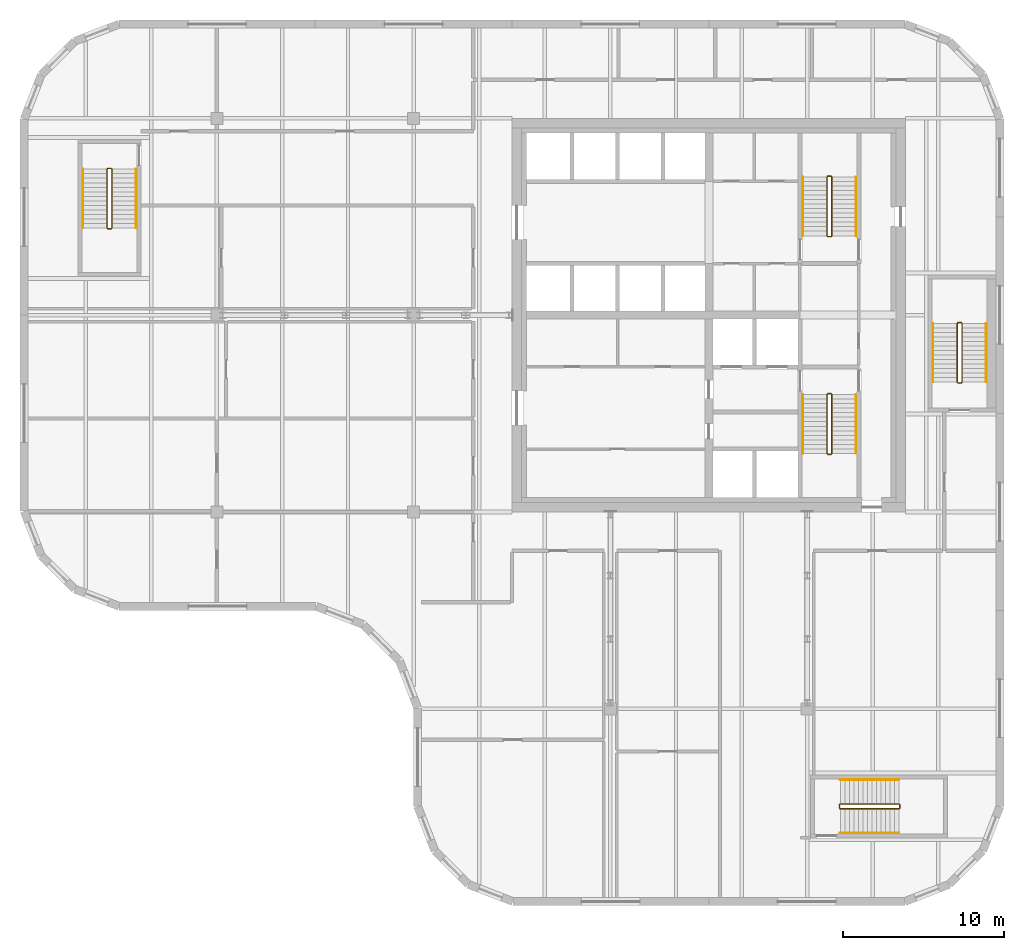
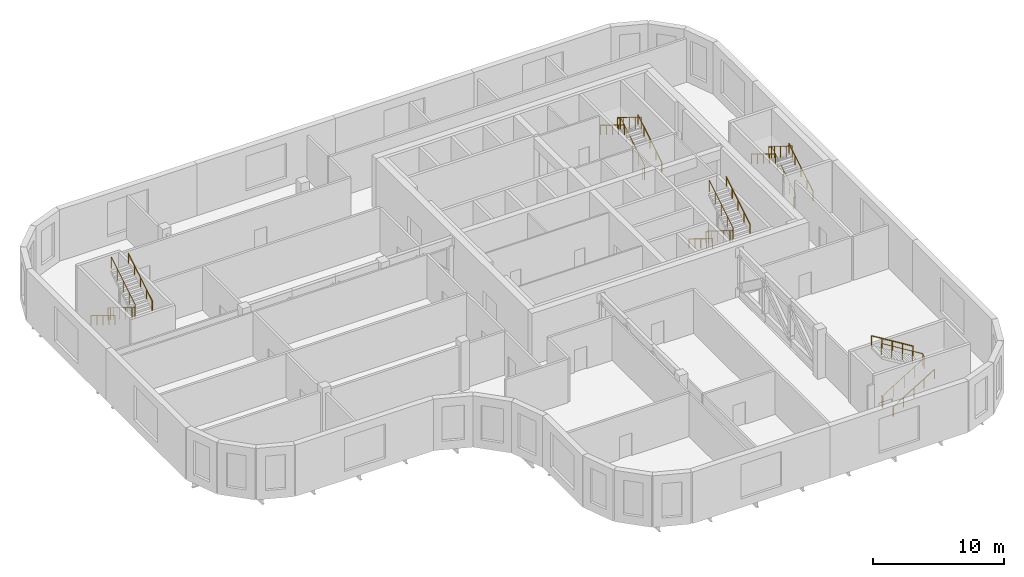
# One storey, part 12 of 12: 15 railings.
"""IFC4 building model written with IfcOpenShell, lengths in metres."""

from ifc_helpers import new_model, si_unit, direction, frame, origin, origin_2d, place, context, subcontext, project, spatial, circle, extrude, material, type_object, element, save


model = new_model("IFC4")

# Units and contexts
model_context = context("Model", 3, precision=1e-05, world=origin(), true_north=direction((0.0, 1.0)))
body_context = subcontext(model_context, "Body", "Model", "MODEL_VIEW")
ifc_project = project(units=[si_unit("LENGTHUNIT", "METRE"), si_unit("AREAUNIT", "SQUARE_METRE"), si_unit("VOLUMEUNIT", "CUBIC_METRE"), si_unit("PLANEANGLEUNIT", "RADIAN"), si_unit("MASSUNIT", "GRAM", prefix="KILO")], contexts=[model_context])

# Site, building, storey
site_placement = place(None, origin())
site = spatial("IfcSite", under=ifc_project, at=site_placement, CompositionType="ELEMENT")
building_placement = place(site_placement, origin())
building = spatial("IfcBuilding", under=site, at=building_placement, Name="Tessera Gate Towers", CompositionType="ELEMENT")
storey_placement = place(building_placement, frame((0.0, 0.0, 150.60009765625)))
storey = spatial("IfcBuildingStorey", under=building, at=storey_placement, Name="L37", CompositionType="ELEMENT", Elevation=150.60009765625)

# Railings
ifc_material_1 = material(Name="Steel 350W", Category="steel")
railing_type_1 = type_object("IfcRailingType", Name="STAIR GUARD 1100", PredefinedType="GUARDRAIL", material=ifc_material_1)
railing_1_placement = place(storey_placement, frame((50.27490234375, 31.72509765625, 0.0)))
element("IfcRailing", 1, at=railing_1_placement, inside=storey, type_object=railing_type_1, Name="L37 ST1 stair guard 1", PredefinedType="GUARDRAIL", context=body_context, shape_type="SweptSolid", body=[
    extrude(circle(Radius=0.02392578125, at=origin_2d()), frame((0.0, 0.0, 1.076171875), z_axis=(-1.0, 0.0, 0.0), x_axis=(0.0, -1.0, 0.0)), (0.0, 0.0, 1.0), 0.199951171875),
    extrude(circle(Radius=0.02392578125, at=origin_2d()), frame((-0.199951171875, 0.0, 1.076171875), z_axis=(-0.269911200495, -0.269911200495, 0.924281281696), x_axis=(0.707106781187, -0.707106781187, 0.0)), (0.0, 0.0, 1.0), 0.185546875),
    extrude(circle(Radius=0.02392578125, at=origin_2d()), frame((-0.25, -0.050048828125, 1.24755859375), z_axis=(0.0, -0.852865859571, 0.52213008492), x_axis=(1.0, 0.0, 0.0)), (0.0, 0.0, 1.0), 4.26806640625),
    extrude(circle(Radius=0.02392578125, at=origin_2d()), frame((-0.25, -3.690185546875, 3.47607421875), z_axis=(0.708833529934, -0.705375805398, 0.0), x_axis=(0.705375805398, 0.708833529934, 0.0)), (0.0, 0.0, 1.0), 0.070556640625),
    extrude(circle(Radius=0.02392578125, at=origin_2d()), frame((-0.199951171875, -3.739990234375, 3.47607421875), z_axis=(1.0, 0.0, 0.0), x_axis=(0.0, 1.0, 0.0)), (0.0, 0.0, 1.0), 0.199951171875),
    extrude(circle(Radius=0.02392578125, at=origin_2d()), frame((0.0, -3.739990234375, 3.47607421875), z_axis=(0.270006937388, 0.268689830376, 0.924609122178), x_axis=(-0.705375805398, 0.708833529934, 0.0)), (0.0, 0.0, 1.0), 0.185302734375),
    extrude(circle(Radius=0.02392578125, at=origin_2d()), frame((0.050048828125, -3.690185546875, 3.6474609375), z_axis=(0.0, 0.852865859571, 0.52213008492), x_axis=(-1.0, 0.0, 0.0)), (0.0, 0.0, 1.0), 4.26806640625),
    extrude(circle(Radius=0.02099609375, at=origin_2d()), origin(), (0.0, 0.0, 1.0), 1.052001953125),
    extrude(circle(Radius=0.02099609375, at=origin_2d()), frame((-0.199951171875, 0.0, 0.0)), (0.0, 0.0, 1.0), 1.052001953125),
    extrude(circle(Radius=0.02099609375, at=origin_2d()), frame((-0.25, -0.050048828125, 0.17138671875)), (0.0, 0.0, 1.0), 1.052001953125),
    extrude(circle(Radius=0.02099609375, at=origin_2d()), frame((-0.25, -0.9599609375, 0.728515625)), (0.0, 0.0, 1.0), 1.052001953125),
    extrude(circle(Radius=0.02099609375, at=origin_2d()), frame((-0.25, -1.8701171875, 1.28564453125)), (0.0, 0.0, 1.0), 1.052001953125),
    extrude(circle(Radius=0.02099609375, at=origin_2d()), frame((-0.25, -2.7802734375, 1.8427734375)), (0.0, 0.0, 1.0), 1.052001953125),
    extrude(circle(Radius=0.02099609375, at=origin_2d()), frame((-0.25, -3.690185546875, 2.39990234375)), (0.0, 0.0, 1.0), 1.052001953125),
    extrude(circle(Radius=0.02099609375, at=origin_2d()), frame((-0.199951171875, -3.739990234375, 2.39990234375)), (0.0, 0.0, 1.0), 1.052001953125),
    extrude(circle(Radius=0.02099609375, at=origin_2d()), frame((0.0, -3.739990234375, 2.39990234375)), (0.0, 0.0, 1.0), 1.052001953125),
    extrude(circle(Radius=0.02099609375, at=origin_2d()), frame((0.050048828125, -3.690185546875, 2.5712890625)), (0.0, 0.0, 1.0), 1.052001953125),
    extrude(circle(Radius=0.02099609375, at=origin_2d()), frame((0.050048828125, -2.7802734375, 3.12841796875)), (0.0, 0.0, 1.0), 1.052001953125),
    extrude(circle(Radius=0.02099609375, at=origin_2d()), frame((0.050048828125, -1.8701171875, 3.685546875)), (0.0, 0.0, 1.0), 1.052001953125),
    extrude(circle(Radius=0.02099609375, at=origin_2d()), frame((0.050048828125, -0.9599609375, 4.24267578125)), (0.0, 0.0, 1.0), 1.052001953125),
    extrude(circle(Radius=0.02099609375, at=origin_2d()), frame((0.050048828125, -0.050048828125, 4.7998046875)), (0.0, 0.0, 1.0), 1.052001953125),
])
railing_2_placement = place(storey_placement, frame((50.074951171875, 41.47509765625, 0.0)))
element("IfcRailing", 2, at=railing_2_placement, inside=storey, type_object=railing_type_1, Name="L37 ST2 stair guard 1", PredefinedType="GUARDRAIL", context=body_context, shape_type="SweptSolid", body=[
    extrude(circle(Radius=0.02392578125, at=origin_2d()), frame((0.0, 0.0, 1.076171875), z_axis=(1.0, 0.0, 0.0), x_axis=(0.0, 1.0, 0.0)), (0.0, 0.0, 1.0), 0.199951171875),
    extrude(circle(Radius=0.02392578125, at=origin_2d()), frame((0.199951171875, 0.0, 1.076171875), z_axis=(0.270006937388, 0.268689830376, 0.924609122178), x_axis=(-0.705375805398, 0.708833529934, 0.0)), (0.0, 0.0, 1.0), 0.185302734375),
    extrude(circle(Radius=0.02392578125, at=origin_2d()), frame((0.25, 0.0498046875, 1.24755859375), z_axis=(0.0, 0.852865859571, 0.52213008492), x_axis=(-1.0, 0.0, 0.0)), (0.0, 0.0, 1.0), 4.26806640625),
    extrude(circle(Radius=0.02392578125, at=origin_2d()), frame((0.25, 3.68994140625, 3.47607421875), z_axis=(-0.707106781187, 0.707106781187, 0.0), x_axis=(-0.707106781187, -0.707106781187, 0.0)), (0.0, 0.0, 1.0), 0.07080078125),
    extrude(circle(Radius=0.02392578125, at=origin_2d()), frame((0.199951171875, 3.739990234375, 3.47607421875), z_axis=(-1.0, 0.0, 0.0), x_axis=(0.0, -1.0, 0.0)), (0.0, 0.0, 1.0), 0.199951171875),
    extrude(circle(Radius=0.02392578125, at=origin_2d()), frame((0.0, 3.739990234375, 3.47607421875), z_axis=(-0.269911200495, -0.269911200495, 0.924281281696), x_axis=(0.707106781187, -0.707106781187, 0.0)), (0.0, 0.0, 1.0), 0.185546875),
    extrude(circle(Radius=0.02392578125, at=origin_2d()), frame((-0.050048828125, 3.68994140625, 3.6474609375), z_axis=(0.0, -0.852865859571, 0.52213008492), x_axis=(1.0, 0.0, 0.0)), (0.0, 0.0, 1.0), 4.26806640625),
    extrude(circle(Radius=0.02099609375, at=origin_2d()), origin(), (0.0, 0.0, 1.0), 1.052001953125),
    extrude(circle(Radius=0.02099609375, at=origin_2d()), frame((0.199951171875, 0.0, 0.0)), (0.0, 0.0, 1.0), 1.052001953125),
    extrude(circle(Radius=0.02099609375, at=origin_2d()), frame((0.25, 0.0498046875, 0.17138671875)), (0.0, 0.0, 1.0), 1.052001953125),
    extrude(circle(Radius=0.02099609375, at=origin_2d()), frame((0.25, 0.9599609375, 0.728515625)), (0.0, 0.0, 1.0), 1.052001953125),
    extrude(circle(Radius=0.02099609375, at=origin_2d()), frame((0.25, 1.869873046875, 1.28564453125)), (0.0, 0.0, 1.0), 1.052001953125),
    extrude(circle(Radius=0.02099609375, at=origin_2d()), frame((0.25, 2.77978515625, 1.8427734375)), (0.0, 0.0, 1.0), 1.052001953125),
    extrude(circle(Radius=0.02099609375, at=origin_2d()), frame((0.25, 3.68994140625, 2.39990234375)), (0.0, 0.0, 1.0), 1.052001953125),
    extrude(circle(Radius=0.02099609375, at=origin_2d()), frame((0.199951171875, 3.739990234375, 2.39990234375)), (0.0, 0.0, 1.0), 1.052001953125),
    extrude(circle(Radius=0.02099609375, at=origin_2d()), frame((0.0, 3.739990234375, 2.39990234375)), (0.0, 0.0, 1.0), 1.052001953125),
    extrude(circle(Radius=0.02099609375, at=origin_2d()), frame((-0.050048828125, 3.68994140625, 2.5712890625)), (0.0, 0.0, 1.0), 1.052001953125),
    extrude(circle(Radius=0.02099609375, at=origin_2d()), frame((-0.050048828125, 2.77978515625, 3.12841796875)), (0.0, 0.0, 1.0), 1.052001953125),
    extrude(circle(Radius=0.02099609375, at=origin_2d()), frame((-0.050048828125, 1.869873046875, 3.685546875)), (0.0, 0.0, 1.0), 1.052001953125),
    extrude(circle(Radius=0.02099609375, at=origin_2d()), frame((-0.050048828125, 0.9599609375, 4.24267578125)), (0.0, 0.0, 1.0), 1.052001953125),
    extrude(circle(Radius=0.02099609375, at=origin_2d()), frame((-0.050048828125, 0.0498046875, 4.7998046875)), (0.0, 0.0, 1.0), 1.052001953125),
])
railing_3_placement = place(storey_placement, frame((5.64990234375, 45.699951171875, 0.0)))
element("IfcRailing", 3, at=railing_3_placement, inside=storey, type_object=railing_type_1, Name="L37 ST3 stair guard 1", PredefinedType="GUARDRAIL", context=body_context, shape_type="SweptSolid", body=[
    extrude(circle(Radius=0.02392578125, at=origin_2d()), frame((0.0, 0.0, 1.076171875), z_axis=(-1.0, 0.0, 0.0), x_axis=(0.0, -1.0, 0.0)), (0.0, 0.0, 1.0), 0.199951171875),
    extrude(circle(Radius=0.02392578125, at=origin_2d()), frame((-0.199951171875, 0.0, 1.076171875), z_axis=(-0.269911200495, -0.269911200495, 0.924281281696), x_axis=(0.707106781187, -0.707106781187, 0.0)), (0.0, 0.0, 1.0), 0.185546875),
    extrude(circle(Radius=0.02392578125, at=origin_2d()), frame((-0.25, -0.050048828125, 1.24755859375), z_axis=(0.0, -0.852850264322, 0.5221555579), x_axis=(1.0, 0.0, 0.0)), (0.0, 0.0, 1.0), 4.267822265625),
    extrude(circle(Radius=0.02392578125, at=origin_2d()), frame((-0.25, -3.68994140625, 3.47607421875), z_axis=(0.707106781187, -0.707106781187, 0.0), x_axis=(0.707106781187, 0.707106781187, 0.0)), (0.0, 0.0, 1.0), 0.07080078125),
    extrude(circle(Radius=0.02392578125, at=origin_2d()), frame((-0.199951171875, -3.739990234375, 3.47607421875), z_axis=(1.0, 0.0, 0.0), x_axis=(0.0, 1.0, 0.0)), (0.0, 0.0, 1.0), 0.199951171875),
    extrude(circle(Radius=0.02392578125, at=origin_2d()), frame((0.0, -3.739990234375, 3.47607421875), z_axis=(0.269911200495, 0.269911200495, 0.924281281696), x_axis=(-0.707106781187, 0.707106781187, 0.0)), (0.0, 0.0, 1.0), 0.185546875),
    extrude(circle(Radius=0.02392578125, at=origin_2d()), frame((0.050048828125, -3.68994140625, 3.6474609375), z_axis=(0.0, 0.852850264322, 0.5221555579), x_axis=(-1.0, 0.0, 0.0)), (0.0, 0.0, 1.0), 4.267822265625),
    extrude(circle(Radius=0.02099609375, at=origin_2d()), origin(), (0.0, 0.0, 1.0), 1.052001953125),
    extrude(circle(Radius=0.02099609375, at=origin_2d()), frame((-0.199951171875, 0.0, 0.0)), (0.0, 0.0, 1.0), 1.052001953125),
    extrude(circle(Radius=0.02099609375, at=origin_2d()), frame((-0.25, -0.050048828125, 0.17138671875)), (0.0, 0.0, 1.0), 1.052001953125),
    extrude(circle(Radius=0.02099609375, at=origin_2d()), frame((-0.25, -0.9599609375, 0.728515625)), (0.0, 0.0, 1.0), 1.052001953125),
    extrude(circle(Radius=0.02099609375, at=origin_2d()), frame((-0.25, -1.8701171875, 1.28564453125)), (0.0, 0.0, 1.0), 1.052001953125),
    extrude(circle(Radius=0.02099609375, at=origin_2d()), frame((-0.25, -2.780029296875, 1.8427734375)), (0.0, 0.0, 1.0), 1.052001953125),
    extrude(circle(Radius=0.02099609375, at=origin_2d()), frame((-0.25, -3.68994140625, 2.39990234375)), (0.0, 0.0, 1.0), 1.052001953125),
    extrude(circle(Radius=0.02099609375, at=origin_2d()), frame((-0.199951171875, -3.739990234375, 2.39990234375)), (0.0, 0.0, 1.0), 1.052001953125),
    extrude(circle(Radius=0.02099609375, at=origin_2d()), frame((0.0, -3.739990234375, 2.39990234375)), (0.0, 0.0, 1.0), 1.052001953125),
    extrude(circle(Radius=0.02099609375, at=origin_2d()), frame((0.050048828125, -3.68994140625, 2.5712890625)), (0.0, 0.0, 1.0), 1.052001953125),
    extrude(circle(Radius=0.02099609375, at=origin_2d()), frame((0.050048828125, -2.780029296875, 3.12841796875)), (0.0, 0.0, 1.0), 1.052001953125),
    extrude(circle(Radius=0.02099609375, at=origin_2d()), frame((0.050048828125, -1.8701171875, 3.685546875)), (0.0, 0.0, 1.0), 1.052001953125),
    extrude(circle(Radius=0.02099609375, at=origin_2d()), frame((0.050048828125, -0.9599609375, 4.24267578125)), (0.0, 0.0, 1.0), 1.052001953125),
    extrude(circle(Radius=0.02099609375, at=origin_2d()), frame((0.050048828125, -0.050048828125, 4.7998046875)), (0.0, 0.0, 1.0), 1.052001953125),
])
railing_4_placement = place(storey_placement, frame((50.800048828125, 6.25, 0.0)))
element("IfcRailing", 4, at=railing_4_placement, inside=storey, type_object=railing_type_1, Name="L37 ST4 stair guard 1", PredefinedType="GUARDRAIL", context=body_context, shape_type="SweptSolid", body=[
    extrude(circle(Radius=0.02392578125, at=origin_2d()), frame((0.0, 0.0, 1.076171875), z_axis=(0.0, -1.0, 0.0), x_axis=(1.0, 0.0, 0.0)), (0.0, 0.0, 1.0), 0.199951171875),
    extrude(circle(Radius=0.02392578125, at=origin_2d()), frame((0.0, -0.199951171875, 1.076171875), z_axis=(0.269911200495, -0.269911200495, 0.924281281696), x_axis=(0.707106781187, 0.707106781187, 0.0)), (0.0, 0.0, 1.0), 0.185546875),
    extrude(circle(Radius=0.02392578125, at=origin_2d()), frame((0.050048828125, -0.25, 1.24755859375), z_axis=(0.852850264322, 0.0, 0.5221555579), x_axis=(0.0, 1.0, 0.0)), (0.0, 0.0, 1.0), 4.267822265625),
    extrude(circle(Radius=0.02392578125, at=origin_2d()), frame((3.68994140625, -0.25, 3.47607421875), z_axis=(0.707106781187, 0.707106781187, 0.0), x_axis=(-0.707106781187, 0.707106781187, 0.0)), (0.0, 0.0, 1.0), 0.07080078125),
    extrude(circle(Radius=0.02392578125, at=origin_2d()), frame((3.739990234375, -0.199951171875, 3.47607421875), z_axis=(0.0, 1.0, 0.0), x_axis=(-1.0, 0.0, 0.0)), (0.0, 0.0, 1.0), 0.199951171875),
    extrude(circle(Radius=0.02392578125, at=origin_2d()), frame((3.739990234375, 0.0, 3.47607421875), z_axis=(-0.269911200495, 0.269911200495, 0.924281281696), x_axis=(-0.707106781187, -0.707106781187, 0.0)), (0.0, 0.0, 1.0), 0.185546875),
    extrude(circle(Radius=0.02392578125, at=origin_2d()), frame((3.68994140625, 0.050048828125, 3.6474609375), z_axis=(-0.852850264322, 0.0, 0.5221555579), x_axis=(0.0, -1.0, 0.0)), (0.0, 0.0, 1.0), 4.267822265625),
    extrude(circle(Radius=0.02099609375, at=origin_2d()), origin(), (0.0, 0.0, 1.0), 1.052001953125),
    extrude(circle(Radius=0.02099609375, at=origin_2d()), frame((0.0, -0.199951171875, 0.0)), (0.0, 0.0, 1.0), 1.052001953125),
    extrude(circle(Radius=0.02099609375, at=origin_2d()), frame((0.050048828125, -0.25, 0.17138671875)), (0.0, 0.0, 1.0), 1.052001953125),
    extrude(circle(Radius=0.02099609375, at=origin_2d()), frame((0.9599609375, -0.25, 0.728515625)), (0.0, 0.0, 1.0), 1.052001953125),
    extrude(circle(Radius=0.02099609375, at=origin_2d()), frame((1.8701171875, -0.25, 1.28564453125)), (0.0, 0.0, 1.0), 1.052001953125),
    extrude(circle(Radius=0.02099609375, at=origin_2d()), frame((2.780029296875, -0.25, 1.8427734375)), (0.0, 0.0, 1.0), 1.052001953125),
    extrude(circle(Radius=0.02099609375, at=origin_2d()), frame((3.68994140625, -0.25, 2.39990234375)), (0.0, 0.0, 1.0), 1.052001953125),
    extrude(circle(Radius=0.02099609375, at=origin_2d()), frame((3.739990234375, -0.199951171875, 2.39990234375)), (0.0, 0.0, 1.0), 1.052001953125),
    extrude(circle(Radius=0.02099609375, at=origin_2d()), frame((3.739990234375, 0.0, 2.39990234375)), (0.0, 0.0, 1.0), 1.052001953125),
    extrude(circle(Radius=0.02099609375, at=origin_2d()), frame((3.68994140625, 0.050048828125, 2.5712890625)), (0.0, 0.0, 1.0), 1.052001953125),
    extrude(circle(Radius=0.02099609375, at=origin_2d()), frame((2.780029296875, 0.050048828125, 3.12841796875)), (0.0, 0.0, 1.0), 1.052001953125),
    extrude(circle(Radius=0.02099609375, at=origin_2d()), frame((1.8701171875, 0.050048828125, 3.685546875)), (0.0, 0.0, 1.0), 1.052001953125),
    extrude(circle(Radius=0.02099609375, at=origin_2d()), frame((0.9599609375, 0.050048828125, 4.24267578125)), (0.0, 0.0, 1.0), 1.052001953125),
    extrude(circle(Radius=0.02099609375, at=origin_2d()), frame((0.050048828125, 0.050048828125, 4.7998046875)), (0.0, 0.0, 1.0), 1.052001953125),
])
railing_5_placement = place(storey_placement, frame((58.14990234375, 32.39990234375, 0.0)))
element("IfcRailing", 5, at=railing_5_placement, inside=storey, type_object=railing_type_1, Name="L37 ST5 stair guard 1", PredefinedType="GUARDRAIL", context=body_context, shape_type="SweptSolid", body=[
    extrude(circle(Radius=0.02392578125, at=origin_2d()), frame((0.0, 0.0, 1.076171875), z_axis=(1.0, 0.0, 0.0), x_axis=(0.0, 1.0, 0.0)), (0.0, 0.0, 1.0), 0.2001953125),
    extrude(circle(Radius=0.02392578125, at=origin_2d()), frame((0.2001953125, 0.0, 1.076171875), z_axis=(0.268689830376, 0.270006937388, 0.924609122178), x_axis=(-0.708833529934, 0.705375805398, 0.0)), (0.0, 0.0, 1.0), 0.185302734375),
    extrude(circle(Radius=0.02392578125, at=origin_2d()), frame((0.25, 0.050048828125, 1.24755859375), z_axis=(0.0, 0.852865859571, 0.52213008492), x_axis=(-1.0, 0.0, 0.0)), (0.0, 0.0, 1.0), 4.26806640625),
    extrude(circle(Radius=0.02392578125, at=origin_2d()), frame((0.25, 3.690185546875, 3.47607421875), z_axis=(-0.707106781187, 0.707106781187, 0.0), x_axis=(-0.707106781187, -0.707106781187, 0.0)), (0.0, 0.0, 1.0), 0.0703125),
    extrude(circle(Radius=0.02392578125, at=origin_2d()), frame((0.2001953125, 3.739990234375, 3.47607421875), z_axis=(-1.0, 0.0, 0.0), x_axis=(0.0, -1.0, 0.0)), (0.0, 0.0, 1.0), 0.2001953125),
    extrude(circle(Radius=0.02392578125, at=origin_2d()), frame((0.0, 3.739990234375, 3.47607421875), z_axis=(-0.268785201708, -0.268785201708, 0.92493731176), x_axis=(0.707106781187, -0.707106781187, 0.0)), (0.0, 0.0, 1.0), 0.185302734375),
    extrude(circle(Radius=0.02392578125, at=origin_2d()), frame((-0.0498046875, 3.690185546875, 3.6474609375), z_axis=(0.0, -0.852865859571, 0.52213008492), x_axis=(1.0, 0.0, 0.0)), (0.0, 0.0, 1.0), 4.26806640625),
    extrude(circle(Radius=0.02099609375, at=origin_2d()), origin(), (0.0, 0.0, 1.0), 1.052001953125),
    extrude(circle(Radius=0.02099609375, at=origin_2d()), frame((0.2001953125, 0.0, 0.0)), (0.0, 0.0, 1.0), 1.052001953125),
    extrude(circle(Radius=0.02099609375, at=origin_2d()), frame((0.25, 0.050048828125, 0.17138671875)), (0.0, 0.0, 1.0), 1.052001953125),
    extrude(circle(Radius=0.02099609375, at=origin_2d()), frame((0.25, 0.9599609375, 0.728515625)), (0.0, 0.0, 1.0), 1.052001953125),
    extrude(circle(Radius=0.02099609375, at=origin_2d()), frame((0.25, 1.8701171875, 1.28564453125)), (0.0, 0.0, 1.0), 1.052001953125),
    extrude(circle(Radius=0.02099609375, at=origin_2d()), frame((0.25, 2.7802734375, 1.8427734375)), (0.0, 0.0, 1.0), 1.052001953125),
    extrude(circle(Radius=0.02099609375, at=origin_2d()), frame((0.25, 3.690185546875, 2.39990234375)), (0.0, 0.0, 1.0), 1.052001953125),
    extrude(circle(Radius=0.02099609375, at=origin_2d()), frame((0.2001953125, 3.739990234375, 2.39990234375)), (0.0, 0.0, 1.0), 1.052001953125),
    extrude(circle(Radius=0.02099609375, at=origin_2d()), frame((0.0, 3.739990234375, 2.39990234375)), (0.0, 0.0, 1.0), 1.052001953125),
    extrude(circle(Radius=0.02099609375, at=origin_2d()), frame((-0.0498046875, 3.690185546875, 2.5712890625)), (0.0, 0.0, 1.0), 1.052001953125),
    extrude(circle(Radius=0.02099609375, at=origin_2d()), frame((-0.0498046875, 2.7802734375, 3.12841796875)), (0.0, 0.0, 1.0), 1.052001953125),
    extrude(circle(Radius=0.02099609375, at=origin_2d()), frame((-0.0498046875, 1.8701171875, 3.685546875)), (0.0, 0.0, 1.0), 1.052001953125),
    extrude(circle(Radius=0.02099609375, at=origin_2d()), frame((-0.0498046875, 0.9599609375, 4.24267578125)), (0.0, 0.0, 1.0), 1.052001953125),
    extrude(circle(Radius=0.02099609375, at=origin_2d()), frame((-0.0498046875, 0.050048828125, 4.7998046875)), (0.0, 0.0, 1.0), 1.052001953125),
])
ifc_material_2 = material(Name="Steel 350W", Category="steel")
railing_type_2 = type_object("IfcRailingType", Name="STAIR HANDRAIL 900", PredefinedType="HANDRAIL", material=ifc_material_2)
railing_6_placement = place(storey_placement, frame((48.52490234375, 31.675048828125, 0.17138671875)))
element("IfcRailing", 6, at=railing_6_placement, inside=storey, type_object=railing_type_2, Name="L37 ST1 stair handrail 1", PredefinedType="HANDRAIL", context=body_context, shape_type="SweptSolid", body=[
    extrude(circle(Radius=0.02392578125, at=origin_2d()), frame((0.0, 0.0, 0.8759765625), z_axis=(0.0, -0.852865859571, 0.52213008492), x_axis=(1.0, 0.0, 0.0)), (0.0, 0.0, 1.0), 4.26806640625),
    extrude(circle(Radius=0.02099609375, at=origin_2d()), origin(), (0.0, 0.0, 1.0), 0.851806640625),
    extrude(circle(Radius=0.02099609375, at=origin_2d()), frame((0.0, -0.91015625, 0.55712890625)), (0.0, 0.0, 1.0), 0.851806640625),
    extrude(circle(Radius=0.02099609375, at=origin_2d()), frame((0.0, -1.820068359375, 1.1142578125)), (0.0, 0.0, 1.0), 0.851806640625),
    extrude(circle(Radius=0.02099609375, at=origin_2d()), frame((0.0, -2.72998046875, 1.67138671875)), (0.0, 0.0, 1.0), 0.851806640625),
    extrude(circle(Radius=0.02099609375, at=origin_2d()), frame((0.0, -3.64013671875, 2.228515625)), (0.0, 0.0, 1.0), 0.851806640625),
])
for number, where, name in (
    (7, (51.824951171875, 28.034912109375, 2.5712890625), "L37 ST1 stair handrail 2"),
    (8, (51.824951171875, 41.52490234375, 0.17138671875), "L37 ST2 stair handrail 1"),
):
    element("IfcRailing", number, at=place(storey_placement, frame(where)), inside=storey, type_object=railing_type_2, Name=name, PredefinedType="HANDRAIL", context=body_context, shape_type="SweptSolid", body=[
        extrude(circle(Radius=0.02392578125, at=origin_2d()), frame((0.0, 0.0, 0.8759765625), z_axis=(0.0, 0.852865859571, 0.52213008492), x_axis=(-1.0, 0.0, 0.0)), (0.0, 0.0, 1.0), 4.26806640625),
        extrude(circle(Radius=0.02099609375, at=origin_2d()), origin(), (0.0, 0.0, 1.0), 0.851806640625),
        extrude(circle(Radius=0.02099609375, at=origin_2d()), frame((0.0, 0.91015625, 0.55712890625)), (0.0, 0.0, 1.0), 0.851806640625),
        extrude(circle(Radius=0.02099609375, at=origin_2d()), frame((0.0, 1.820068359375, 1.1142578125)), (0.0, 0.0, 1.0), 0.851806640625),
        extrude(circle(Radius=0.02099609375, at=origin_2d()), frame((0.0, 2.72998046875, 1.67138671875)), (0.0, 0.0, 1.0), 0.851806640625),
        extrude(circle(Radius=0.02099609375, at=origin_2d()), frame((0.0, 3.64013671875, 2.228515625)), (0.0, 0.0, 1.0), 0.851806640625),
    ])
railing_7_placement = place(storey_placement, frame((48.52490234375, 45.1650390625, 2.5712890625)))
element("IfcRailing", 9, at=railing_7_placement, inside=storey, type_object=railing_type_2, Name="L37 ST2 stair handrail 2", PredefinedType="HANDRAIL", context=body_context, shape_type="SweptSolid", body=[
    extrude(circle(Radius=0.02392578125, at=origin_2d()), frame((0.0, 0.0, 0.8759765625), z_axis=(0.0, -0.852865859571, 0.52213008492), x_axis=(1.0, 0.0, 0.0)), (0.0, 0.0, 1.0), 4.26806640625),
    extrude(circle(Radius=0.02099609375, at=origin_2d()), origin(), (0.0, 0.0, 1.0), 0.851806640625),
    extrude(circle(Radius=0.02099609375, at=origin_2d()), frame((0.0, -0.91015625, 0.55712890625)), (0.0, 0.0, 1.0), 0.851806640625),
    extrude(circle(Radius=0.02099609375, at=origin_2d()), frame((0.0, -1.820068359375, 1.1142578125)), (0.0, 0.0, 1.0), 0.851806640625),
    extrude(circle(Radius=0.02099609375, at=origin_2d()), frame((0.0, -2.72998046875, 1.67138671875)), (0.0, 0.0, 1.0), 0.851806640625),
    extrude(circle(Radius=0.02099609375, at=origin_2d()), frame((0.0, -3.64013671875, 2.228515625)), (0.0, 0.0, 1.0), 0.851806640625),
])
railing_8_placement = place(storey_placement, frame((3.89990234375, 45.64990234375, 0.17138671875)))
element("IfcRailing", 10, at=railing_8_placement, inside=storey, type_object=railing_type_2, Name="L37 ST3 stair handrail 1", PredefinedType="HANDRAIL", context=body_context, shape_type="SweptSolid", body=[
    extrude(circle(Radius=0.02392578125, at=origin_2d()), frame((0.0, 0.0, 0.8759765625), z_axis=(0.0, -0.852850264322, 0.5221555579), x_axis=(1.0, 0.0, 0.0)), (0.0, 0.0, 1.0), 4.267822265625),
    extrude(circle(Radius=0.02099609375, at=origin_2d()), origin(), (0.0, 0.0, 1.0), 0.851806640625),
    extrude(circle(Radius=0.02099609375, at=origin_2d()), frame((0.0, -0.909912109375, 0.55712890625)), (0.0, 0.0, 1.0), 0.851806640625),
    extrude(circle(Radius=0.02099609375, at=origin_2d()), frame((0.0, -1.81982421875, 1.1142578125)), (0.0, 0.0, 1.0), 0.851806640625),
    extrude(circle(Radius=0.02099609375, at=origin_2d()), frame((0.0, -2.72998046875, 1.67138671875)), (0.0, 0.0, 1.0), 0.851806640625),
    extrude(circle(Radius=0.02099609375, at=origin_2d()), frame((0.0, -3.639892578125, 2.228515625)), (0.0, 0.0, 1.0), 0.851806640625),
])
railing_9_placement = place(storey_placement, frame((7.199951171875, 42.010009765625, 2.5712890625)))
element("IfcRailing", 11, at=railing_9_placement, inside=storey, type_object=railing_type_2, Name="L37 ST3 stair handrail 2", PredefinedType="HANDRAIL", context=body_context, shape_type="SweptSolid", body=[
    extrude(circle(Radius=0.02392578125, at=origin_2d()), frame((0.0, 0.0, 0.8759765625), z_axis=(0.0, 0.852850264322, 0.5221555579), x_axis=(-1.0, 0.0, 0.0)), (0.0, 0.0, 1.0), 4.267822265625),
    extrude(circle(Radius=0.02099609375, at=origin_2d()), origin(), (0.0, 0.0, 1.0), 0.851806640625),
    extrude(circle(Radius=0.02099609375, at=origin_2d()), frame((0.0, 0.909912109375, 0.55712890625)), (0.0, 0.0, 1.0), 0.851806640625),
    extrude(circle(Radius=0.02099609375, at=origin_2d()), frame((0.0, 1.81982421875, 1.1142578125)), (0.0, 0.0, 1.0), 0.851806640625),
    extrude(circle(Radius=0.02099609375, at=origin_2d()), frame((0.0, 2.72998046875, 1.67138671875)), (0.0, 0.0, 1.0), 0.851806640625),
    extrude(circle(Radius=0.02099609375, at=origin_2d()), frame((0.0, 3.639892578125, 2.228515625)), (0.0, 0.0, 1.0), 0.851806640625),
])
railing_10_placement = place(storey_placement, frame((50.85009765625, 4.5, 0.17138671875)))
element("IfcRailing", 12, at=railing_10_placement, inside=storey, type_object=railing_type_2, Name="L37 ST4 stair handrail 1", PredefinedType="HANDRAIL", context=body_context, shape_type="SweptSolid", body=[
    extrude(circle(Radius=0.02392578125, at=origin_2d()), frame((0.0, 0.0, 0.8759765625), z_axis=(0.852850264322, 0.0, 0.5221555579), x_axis=(0.0, 1.0, 0.0)), (0.0, 0.0, 1.0), 4.267822265625),
    extrude(circle(Radius=0.02099609375, at=origin_2d()), origin(), (0.0, 0.0, 1.0), 0.851806640625),
    extrude(circle(Radius=0.02099609375, at=origin_2d()), frame((0.909912109375, 0.0, 0.55712890625)), (0.0, 0.0, 1.0), 0.851806640625),
    extrude(circle(Radius=0.02099609375, at=origin_2d()), frame((1.81982421875, 0.0, 1.1142578125)), (0.0, 0.0, 1.0), 0.851806640625),
    extrude(circle(Radius=0.02099609375, at=origin_2d()), frame((2.72998046875, 0.0, 1.67138671875)), (0.0, 0.0, 1.0), 0.851806640625),
    extrude(circle(Radius=0.02099609375, at=origin_2d()), frame((3.639892578125, 0.0, 2.228515625)), (0.0, 0.0, 1.0), 0.851806640625),
])
railing_11_placement = place(storey_placement, frame((54.489990234375, 7.800048828125, 2.5712890625)))
element("IfcRailing", 13, at=railing_11_placement, inside=storey, type_object=railing_type_2, Name="L37 ST4 stair handrail 2", PredefinedType="HANDRAIL", context=body_context, shape_type="SweptSolid", body=[
    extrude(circle(Radius=0.02392578125, at=origin_2d()), frame((0.0, 0.0, 0.8759765625), z_axis=(-0.852850264322, 0.0, 0.5221555579), x_axis=(0.0, -1.0, 0.0)), (0.0, 0.0, 1.0), 4.267822265625),
    extrude(circle(Radius=0.02099609375, at=origin_2d()), origin(), (0.0, 0.0, 1.0), 0.851806640625),
    extrude(circle(Radius=0.02099609375, at=origin_2d()), frame((-0.909912109375, 0.0, 0.55712890625)), (0.0, 0.0, 1.0), 0.851806640625),
    extrude(circle(Radius=0.02099609375, at=origin_2d()), frame((-1.81982421875, 0.0, 1.1142578125)), (0.0, 0.0, 1.0), 0.851806640625),
    extrude(circle(Radius=0.02099609375, at=origin_2d()), frame((-2.72998046875, 0.0, 1.67138671875)), (0.0, 0.0, 1.0), 0.851806640625),
    extrude(circle(Radius=0.02099609375, at=origin_2d()), frame((-3.639892578125, 0.0, 2.228515625)), (0.0, 0.0, 1.0), 0.851806640625),
])
railing_12_placement = place(storey_placement, frame((59.89990234375, 32.449951171875, 0.17138671875)))
element("IfcRailing", 14, at=railing_12_placement, inside=storey, type_object=railing_type_2, Name="L37 ST5 stair handrail 1", PredefinedType="HANDRAIL", context=body_context, shape_type="SweptSolid", body=[
    extrude(circle(Radius=0.02392578125, at=origin_2d()), frame((0.0, 0.0, 0.8759765625), z_axis=(0.0, 0.852865859571, 0.52213008492), x_axis=(-1.0, 0.0, 0.0)), (0.0, 0.0, 1.0), 4.26806640625),
    extrude(circle(Radius=0.02099609375, at=origin_2d()), origin(), (0.0, 0.0, 1.0), 0.851806640625),
    extrude(circle(Radius=0.02099609375, at=origin_2d()), frame((0.0, 0.91015625, 0.55712890625)), (0.0, 0.0, 1.0), 0.851806640625),
    extrude(circle(Radius=0.02099609375, at=origin_2d()), frame((0.0, 1.820068359375, 1.1142578125)), (0.0, 0.0, 1.0), 0.851806640625),
    extrude(circle(Radius=0.02099609375, at=origin_2d()), frame((0.0, 2.72998046875, 1.67138671875)), (0.0, 0.0, 1.0), 0.851806640625),
    extrude(circle(Radius=0.02099609375, at=origin_2d()), frame((0.0, 3.64013671875, 2.228515625)), (0.0, 0.0, 1.0), 0.851806640625),
])
railing_13_placement = place(storey_placement, frame((56.60009765625, 36.090087890625, 2.5712890625)))
element("IfcRailing", 15, at=railing_13_placement, inside=storey, type_object=railing_type_2, Name="L37 ST5 stair handrail 2", PredefinedType="HANDRAIL", context=body_context, shape_type="SweptSolid", body=[
    extrude(circle(Radius=0.02392578125, at=origin_2d()), frame((0.0, 0.0, 0.8759765625), z_axis=(0.0, -0.852865859571, 0.52213008492), x_axis=(1.0, 0.0, 0.0)), (0.0, 0.0, 1.0), 4.26806640625),
    extrude(circle(Radius=0.02099609375, at=origin_2d()), origin(), (0.0, 0.0, 1.0), 0.851806640625),
    extrude(circle(Radius=0.02099609375, at=origin_2d()), frame((0.0, -0.91015625, 0.55712890625)), (0.0, 0.0, 1.0), 0.851806640625),
    extrude(circle(Radius=0.02099609375, at=origin_2d()), frame((0.0, -1.820068359375, 1.1142578125)), (0.0, 0.0, 1.0), 0.851806640625),
    extrude(circle(Radius=0.02099609375, at=origin_2d()), frame((0.0, -2.72998046875, 1.67138671875)), (0.0, 0.0, 1.0), 0.851806640625),
    extrude(circle(Radius=0.02099609375, at=origin_2d()), frame((0.0, -3.64013671875, 2.228515625)), (0.0, 0.0, 1.0), 0.851806640625),
])

save(model, "model.ifc")
